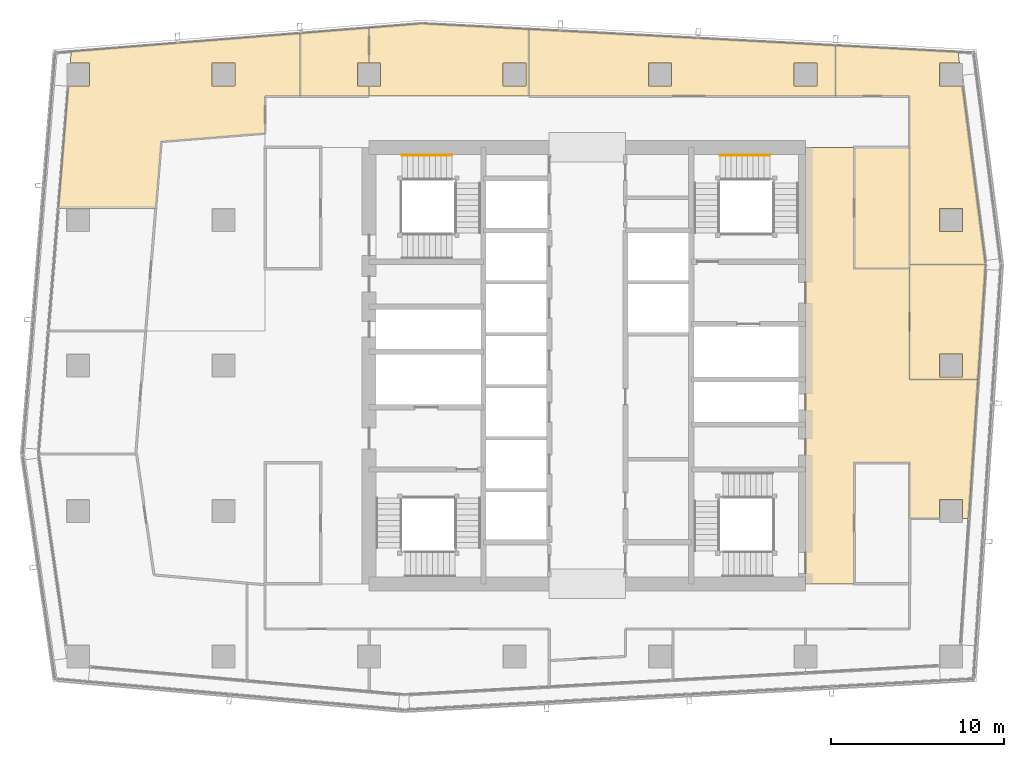
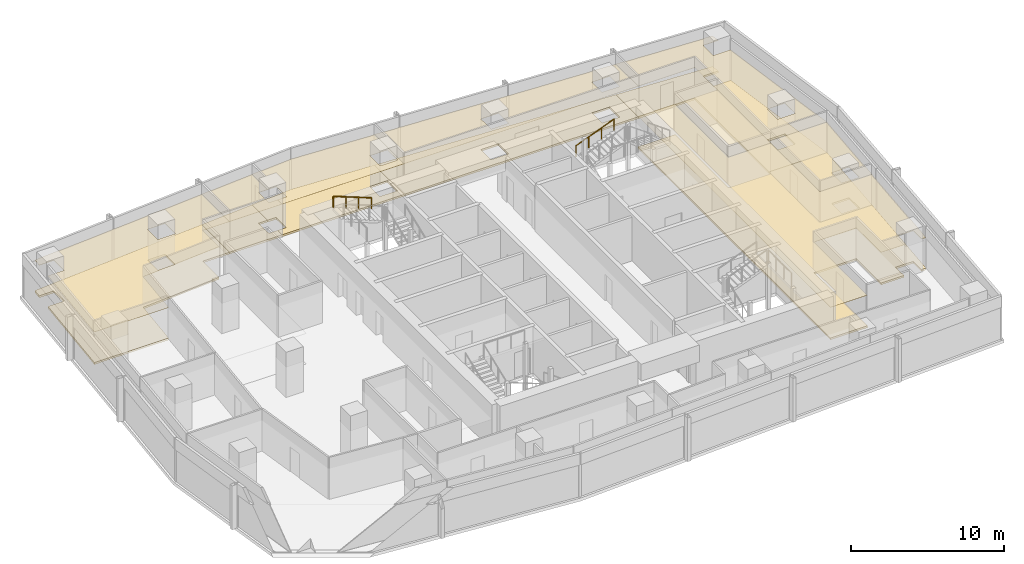
# One storey, part 29 of 29: 15 coverings, 2 railings.
"""IFC4 building model written with IfcOpenShell, lengths in metres."""

from ifc_helpers import new_model, si_unit, direction, frame, origin, origin_2d, place, context, subcontext, project, spatial, polyline, circle, outline, extrude, material, layer, layer_set, type_object, element, save


model = new_model("IFC4")

# Units and contexts
model_context = context("Model", 3, precision=1e-05, world=origin(), true_north=direction((0.0, 1.0)))
body_context = subcontext(model_context, "Body", "Model", "MODEL_VIEW")
ifc_project = project(units=[si_unit("LENGTHUNIT", "METRE"), si_unit("AREAUNIT", "SQUARE_METRE"), si_unit("VOLUMEUNIT", "CUBIC_METRE"), si_unit("PLANEANGLEUNIT", "RADIAN"), si_unit("MASSUNIT", "GRAM", prefix="KILO")], contexts=[model_context])

# Site, building, storey
site_placement = place(None, origin())
site = spatial("IfcSite", under=ifc_project, at=site_placement, CompositionType="ELEMENT")
building_placement = place(site_placement, origin())
building = spatial("IfcBuilding", under=site, at=building_placement, Name="Rekha Terrace Tower", CompositionType="ELEMENT")
storey_placement = place(building_placement, frame((0.0, 0.0, 280.10009765625)))
storey = spatial("IfcBuildingStorey", under=building, at=storey_placement, Name="L71", CompositionType="ELEMENT", Elevation=280.10009765625)

# Coverings
ifc_material_1 = material(Name="Mineral fibre tile in exposed grid", Category="finish")
ifc_layer_1 = layer(ifc_material_1, 0.02001953125)
ifc_layer_set_1 = layer_set([ifc_layer_1], Name="Mineral fibre tile in exposed grid")
covering_type_1 = type_object("IfcCoveringType", Name="CL1 600x1200 office grid ceiling", PredefinedType="CEILING", material=ifc_layer_set_1)
covering_1_placement = place(storey_placement, frame((0.0, 0.0, 2.579833984375)))
element("IfcCovering", 1, at=covering_1_placement, inside=storey, type_object=covering_type_1, Name="Ceiling L71-02", PredefinedType="CEILING", context=body_context, shape_type="SweptSolid", body=[
    extrude(outline(polyline([(56.39990234375, 32.7919921875), (60.345947265625, 32.7919921875), (60.787109375, 39.43896484375), (56.39990234375, 39.43896484375), (56.39990234375, 32.7919921875)]), holes=[polyline([(59.465087890625, 34.264892578125), (59.465087890625, 32.93505859375), (58.135009765625, 32.93505859375), (58.135009765625, 34.264892578125), (59.465087890625, 34.264892578125)])]), origin(), (0.0, 0.0, 1.0), 0.02001953125),
])
covering_2_placement = place(storey_placement, frame((0.0, 0.0, 2.579833984375)))
element("IfcCovering", 2, at=covering_2_placement, inside=storey, type_object=covering_type_1, Name="Ceiling L71-03", PredefinedType="CEILING", context=body_context, shape_type="SweptSolid", body=[
    extrude(outline(polyline([(59.199951171875, 51.7060546875), (52.123046875, 52.08203125), (52.123046875, 49.14990234375), (56.39990234375, 49.14990234375), (56.39990234375, 39.43994140625), (60.781005859375, 39.43994140625), (59.4541015625, 49.735107421875), (58.135009765625, 49.735107421875), (58.135009765625, 51.06494140625), (59.282958984375, 51.06494140625), (59.199951171875, 51.7060546875)]), holes=[polyline([(59.465087890625, 41.3349609375), (58.135009765625, 41.3349609375), (58.135009765625, 42.6650390625), (59.465087890625, 42.6650390625), (59.465087890625, 41.3349609375)])]), origin(), (0.0, 0.0, 1.0), 0.02001953125),
])
covering_3_placement = place(storey_placement, frame((0.0, 0.0, 2.579833984375)))
element("IfcCovering", 3, at=covering_3_placement, inside=storey, type_object=covering_type_1, Name="Ceiling L71-04", PredefinedType="CEILING", context=body_context, shape_type="SweptSolid", body=[
    extrude(outline(polyline([(52.123046875, 49.14990234375), (52.123046875, 52.08203125), (44.172119140625, 52.5048828125), (34.41796875, 53.02294921875), (34.41796875, 49.14990234375), (52.123046875, 49.14990234375)]), holes=[polyline([(51.06494140625, 51.06494140625), (51.06494140625, 49.735107421875), (49.735107421875, 49.735107421875), (49.735107421875, 51.06494140625), (51.06494140625, 51.06494140625)]), polyline([(42.6650390625, 49.735107421875), (41.3349609375, 49.735107421875), (41.3349609375, 51.06494140625), (42.6650390625, 51.06494140625), (42.6650390625, 49.735107421875)])]), origin(), (0.0, 0.0, 1.0), 0.02001953125),
])
covering_4_placement = place(storey_placement, frame((0.0, 0.0, 2.579833984375)))
element("IfcCovering", 4, at=covering_4_placement, inside=storey, type_object=covering_type_1, Name="Ceiling L71-05", PredefinedType="CEILING", context=body_context, shape_type="SweptSolid", body=[
    extrude(outline(polyline([(25.205078125, 51.06494140625), (25.205078125, 53.10498046875), (21.22705078125, 52.7880859375), (21.22705078125, 49.14990234375), (25.205078125, 49.14990234375), (25.205078125, 49.735107421875), (24.534912109375, 49.735107421875), (24.534912109375, 51.06494140625), (25.205078125, 51.06494140625)])), origin(), (0.0, 0.0, 1.0), 0.02001953125),
])
covering_5_placement = place(storey_placement, frame((0.0, 0.0, 2.579833984375)))
element("IfcCovering", 5, at=covering_5_placement, inside=storey, type_object=covering_type_1, Name="Ceiling L71-06", PredefinedType="CEILING", context=body_context, shape_type="SweptSolid", body=[
    extrude(outline(polyline([(7.26611328125, 42.656982421875), (7.735107421875, 42.656982421875), (7.735107421875, 42.6650390625), (9.06494140625, 42.6650390625), (9.06494140625, 42.656982421875), (12.884033203125, 42.656982421875), (13.198974609375, 46.530029296875), (19.199951171875, 47.008056640625), (19.199951171875, 49.14990234375), (21.22607421875, 49.14990234375), (21.22607421875, 52.7880859375), (8.00390625, 51.73291015625), (7.949951171875, 51.06494140625), (9.06494140625, 51.06494140625), (9.06494140625, 49.735107421875), (7.842041015625, 49.735107421875), (7.26611328125, 42.656982421875)]), holes=[polyline([(17.465087890625, 49.735107421875), (16.135009765625, 49.735107421875), (16.135009765625, 51.06494140625), (17.465087890625, 51.06494140625), (17.465087890625, 49.735107421875)])]), origin(), (0.0, 0.0, 1.0), 0.02001953125),
])
covering_6_placement = place(storey_placement, frame((0.0, 0.0, 2.579833984375)))
element("IfcCovering", 6, at=covering_6_placement, inside=storey, type_object=covering_type_1, Name="Ceiling L71-O1", PredefinedType="CEILING", context=body_context, shape_type="SweptSolid", body=[
    extrude(outline(polyline([(25.205078125, 49.735107421875), (25.205078125, 49.14990234375), (34.41796875, 49.14990234375), (34.41796875, 53.02294921875), (28.27294921875, 53.35009765625), (25.205078125, 53.10498046875), (25.205078125, 51.06494140625), (25.864990234375, 51.06494140625), (25.864990234375, 49.735107421875), (25.205078125, 49.735107421875)]), holes=[polyline([(34.264892578125, 49.735107421875), (32.93505859375, 49.735107421875), (32.93505859375, 51.06494140625), (34.264892578125, 51.06494140625), (34.264892578125, 49.735107421875)])]), origin(), (0.0, 0.0, 1.0), 0.02001953125),
])
covering_7_placement = place(storey_placement, frame((0.0, 0.0, 2.579833984375)))
element("IfcCovering", 7, at=covering_7_placement, inside=storey, type_object=covering_type_1, Name="Ceiling L71-O2b", PredefinedType="CEILING", context=body_context, shape_type="SweptSolid", body=[
    extrude(outline(polyline([(50.39990234375, 21.0), (53.199951171875, 21.0), (53.199951171875, 28.0), (56.39990234375, 28.0), (56.39990234375, 24.785888671875), (58.135009765625, 24.785888671875), (58.135009765625, 25.864990234375), (59.465087890625, 25.864990234375), (59.465087890625, 24.785888671875), (59.81396484375, 24.785888671875), (60.300048828125, 32.095947265625), (60.345947265625, 32.7919921875), (56.39990234375, 32.7919921875), (56.39990234375, 39.199951171875), (53.199951171875, 39.199951171875), (53.199951171875, 46.199951171875), (50.39990234375, 46.199951171875), (50.39990234375, 21.0)])), origin(), (0.0, 0.0, 1.0), 0.02001953125),
])
ifc_material_2 = material(Name="Fibre cement board", Category="finish")
ifc_layer_2 = layer(ifc_material_2, 0.014892578125)
ifc_layer_set_2 = layer_set([ifc_layer_2], Name="Fibre cement board")
covering_type_2 = type_object("IfcCoveringType", Name="CL2 moisture-resistant board ceiling", PredefinedType="CEILING", material=ifc_layer_set_2)
covering_8_placement = place(storey_placement, frame((0.0, 0.0, 2.5849609375)))
element("IfcCovering", 8, at=covering_8_placement, inside=storey, type_object=covering_type_2, Name="Ceiling L71-WCF", PredefinedType="CEILING", context=body_context, shape_type="SweptSolid", body=[
    extrude(outline(polyline([(56.39990234375, 46.199951171875), (53.199951171875, 46.199951171875), (53.199951171875, 39.199951171875), (56.39990234375, 39.199951171875), (56.39990234375, 46.199951171875)])), origin(), (0.0, 0.0, 1.0), 0.014892578125),
])

# Railings
ifc_material_3 = material(Name="Stainless steel tube", Category="steel")
railing_type = type_object("IfcRailingType", Name="HR1 900 stair handrail", PredefinedType="HANDRAIL", material=ifc_material_3)
railing_1_placement = place(storey_placement, frame((45.449951171875, 45.739990234375, 1.375)))
element("IfcRailing", 9, at=railing_1_placement, inside=storey, type_object=railing_type, Name="Handrail ST2 L71 flight 2", PredefinedType="HANDRAIL", context=body_context, shape_type="SweptSolid", body=[
    extrude(circle(Radius=0.02392578125, at=origin_2d()), frame((0.0, 0.0, 0.8759765625), z_axis=(0.931462784923, 0.0, 0.363836612098), x_axis=(0.0, 1.0, 0.0)), (0.0, 0.0, 1.0), 3.092041015625),
    extrude(circle(Radius=0.02099609375, at=origin_2d()), origin(), (0.0, 0.0, 1.0), 0.851806640625),
    extrude(circle(Radius=0.02099609375, at=origin_2d()), frame((0.9599609375, 0.0, 0.375)), (0.0, 0.0, 1.0), 0.851806640625),
    extrude(circle(Radius=0.02099609375, at=origin_2d()), frame((1.920166015625, 0.0, 0.75)), (0.0, 0.0, 1.0), 0.851806640625),
    extrude(circle(Radius=0.02099609375, at=origin_2d()), frame((2.880126953125, 0.0, 1.125)), (0.0, 0.0, 1.0), 0.851806640625),
])
railing_2_placement = place(storey_placement, frame((29.97998046875, 45.739990234375, 2.625)))
element("IfcRailing", 10, at=railing_2_placement, inside=storey, type_object=railing_type, Name="Handrail ST4 L71 flight 3", PredefinedType="HANDRAIL", context=body_context, shape_type="SweptSolid", body=[
    extrude(circle(Radius=0.02392578125, at=origin_2d()), frame((0.0, 0.0, 0.8759765625), z_axis=(-0.931452331594, 0.0, 0.363863372667), x_axis=(0.0, -1.0, 0.0)), (0.0, 0.0, 1.0), 3.091796875),
    extrude(circle(Radius=0.02099609375, at=origin_2d()), origin(), (0.0, 0.0, 1.0), 0.851806640625),
    extrude(circle(Radius=0.02099609375, at=origin_2d()), frame((-0.9599609375, 0.0, 0.375)), (0.0, 0.0, 1.0), 0.851806640625),
    extrude(circle(Radius=0.02099609375, at=origin_2d()), frame((-1.919921875, 0.0, 0.75)), (0.0, 0.0, 1.0), 0.851806640625),
    extrude(circle(Radius=0.02099609375, at=origin_2d()), frame((-2.8798828125, 0.0, 1.125)), (0.0, 0.0, 1.0), 0.851806640625),
])

# Coverings
ifc_material_4 = material(Name="Calcium sulphate panels on steel pedestals", Category="steel")
ifc_layer_3 = layer(ifc_material_4, 0.14990234375)
ifc_layer_set_3 = layer_set([ifc_layer_3], Name="Calcium sulphate panels on steel pedestals")
covering_type_3 = type_object("IfcCoveringType", Name="RF1 150 raised access floor", PredefinedType="FLOORING", material=ifc_layer_set_3)
covering_9_placement = place(storey_placement, origin())
element("IfcCovering", 11, at=covering_9_placement, inside=storey, type_object=covering_type_3, Name="Raised floor L71-02", PredefinedType="FLOORING", context=body_context, shape_type="SweptSolid", body=[
    extrude(outline(polyline([(56.39990234375, 32.7919921875), (60.345947265625, 32.7919921875), (60.787109375, 39.43896484375), (56.39990234375, 39.43896484375), (56.39990234375, 32.7919921875)]), holes=[polyline([(59.465087890625, 34.264892578125), (59.465087890625, 32.93505859375), (58.135009765625, 32.93505859375), (58.135009765625, 34.264892578125), (59.465087890625, 34.264892578125)])]), origin(), (0.0, 0.0, 1.0), 0.14990234375),
])
covering_10_placement = place(storey_placement, origin())
element("IfcCovering", 12, at=covering_10_placement, inside=storey, type_object=covering_type_3, Name="Raised floor L71-03", PredefinedType="FLOORING", context=body_context, shape_type="SweptSolid", body=[
    extrude(outline(polyline([(59.199951171875, 51.7060546875), (52.123046875, 52.08203125), (52.123046875, 49.14990234375), (56.39990234375, 49.14990234375), (56.39990234375, 39.43994140625), (60.781005859375, 39.43994140625), (59.4541015625, 49.735107421875), (58.135009765625, 49.735107421875), (58.135009765625, 51.06494140625), (59.282958984375, 51.06494140625), (59.199951171875, 51.7060546875)]), holes=[polyline([(59.465087890625, 41.3349609375), (58.135009765625, 41.3349609375), (58.135009765625, 42.6650390625), (59.465087890625, 42.6650390625), (59.465087890625, 41.3349609375)])]), origin(), (0.0, 0.0, 1.0), 0.14990234375),
])
covering_11_placement = place(storey_placement, origin())
element("IfcCovering", 13, at=covering_11_placement, inside=storey, type_object=covering_type_3, Name="Raised floor L71-04", PredefinedType="FLOORING", context=body_context, shape_type="SweptSolid", body=[
    extrude(outline(polyline([(52.123046875, 49.14990234375), (52.123046875, 52.08203125), (44.172119140625, 52.5048828125), (34.41796875, 53.02294921875), (34.41796875, 49.14990234375), (52.123046875, 49.14990234375)]), holes=[polyline([(51.06494140625, 51.06494140625), (51.06494140625, 49.735107421875), (49.735107421875, 49.735107421875), (49.735107421875, 51.06494140625), (51.06494140625, 51.06494140625)]), polyline([(42.6650390625, 49.735107421875), (41.3349609375, 49.735107421875), (41.3349609375, 51.06494140625), (42.6650390625, 51.06494140625), (42.6650390625, 49.735107421875)])]), origin(), (0.0, 0.0, 1.0), 0.14990234375),
])
covering_12_placement = place(storey_placement, origin())
element("IfcCovering", 14, at=covering_12_placement, inside=storey, type_object=covering_type_3, Name="Raised floor L71-05", PredefinedType="FLOORING", context=body_context, shape_type="SweptSolid", body=[
    extrude(outline(polyline([(25.205078125, 51.06494140625), (25.205078125, 53.10498046875), (21.22705078125, 52.7880859375), (21.22705078125, 49.14990234375), (25.205078125, 49.14990234375), (25.205078125, 49.735107421875), (24.534912109375, 49.735107421875), (24.534912109375, 51.06494140625), (25.205078125, 51.06494140625)])), origin(), (0.0, 0.0, 1.0), 0.14990234375),
])
covering_13_placement = place(storey_placement, origin())
element("IfcCovering", 15, at=covering_13_placement, inside=storey, type_object=covering_type_3, Name="Raised floor L71-06", PredefinedType="FLOORING", context=body_context, shape_type="SweptSolid", body=[
    extrude(outline(polyline([(7.26611328125, 42.656982421875), (7.735107421875, 42.656982421875), (7.735107421875, 42.6650390625), (9.06494140625, 42.6650390625), (9.06494140625, 42.656982421875), (12.884033203125, 42.656982421875), (13.198974609375, 46.530029296875), (19.199951171875, 47.008056640625), (19.199951171875, 49.14990234375), (21.22607421875, 49.14990234375), (21.22607421875, 52.7880859375), (8.00390625, 51.73291015625), (7.949951171875, 51.06494140625), (9.06494140625, 51.06494140625), (9.06494140625, 49.735107421875), (7.842041015625, 49.735107421875), (7.26611328125, 42.656982421875)]), holes=[polyline([(17.465087890625, 49.735107421875), (16.135009765625, 49.735107421875), (16.135009765625, 51.06494140625), (17.465087890625, 51.06494140625), (17.465087890625, 49.735107421875)])]), origin(), (0.0, 0.0, 1.0), 0.14990234375),
])
covering_14_placement = place(storey_placement, origin())
element("IfcCovering", 16, at=covering_14_placement, inside=storey, type_object=covering_type_3, Name="Raised floor L71-O1", PredefinedType="FLOORING", context=body_context, shape_type="SweptSolid", body=[
    extrude(outline(polyline([(25.205078125, 49.735107421875), (25.205078125, 49.14990234375), (34.41796875, 49.14990234375), (34.41796875, 53.02294921875), (28.27294921875, 53.35009765625), (25.205078125, 53.10498046875), (25.205078125, 51.06494140625), (25.864990234375, 51.06494140625), (25.864990234375, 49.735107421875), (25.205078125, 49.735107421875)]), holes=[polyline([(34.264892578125, 49.735107421875), (32.93505859375, 49.735107421875), (32.93505859375, 51.06494140625), (34.264892578125, 51.06494140625), (34.264892578125, 49.735107421875)])]), origin(), (0.0, 0.0, 1.0), 0.14990234375),
])
covering_15_placement = place(storey_placement, origin())
element("IfcCovering", 17, at=covering_15_placement, inside=storey, type_object=covering_type_3, Name="Raised floor L71-O2b", PredefinedType="FLOORING", context=body_context, shape_type="SweptSolid", body=[
    extrude(outline(polyline([(50.39990234375, 21.0), (53.199951171875, 21.0), (53.199951171875, 28.0), (56.39990234375, 28.0), (56.39990234375, 24.785888671875), (58.135009765625, 24.785888671875), (58.135009765625, 25.864990234375), (59.465087890625, 25.864990234375), (59.465087890625, 24.785888671875), (59.81396484375, 24.785888671875), (60.300048828125, 32.095947265625), (60.345947265625, 32.7919921875), (56.39990234375, 32.7919921875), (56.39990234375, 39.199951171875), (53.199951171875, 39.199951171875), (53.199951171875, 46.199951171875), (50.39990234375, 46.199951171875), (50.39990234375, 21.0)])), origin(), (0.0, 0.0, 1.0), 0.14990234375),
])

save(model, "model.ifc")
